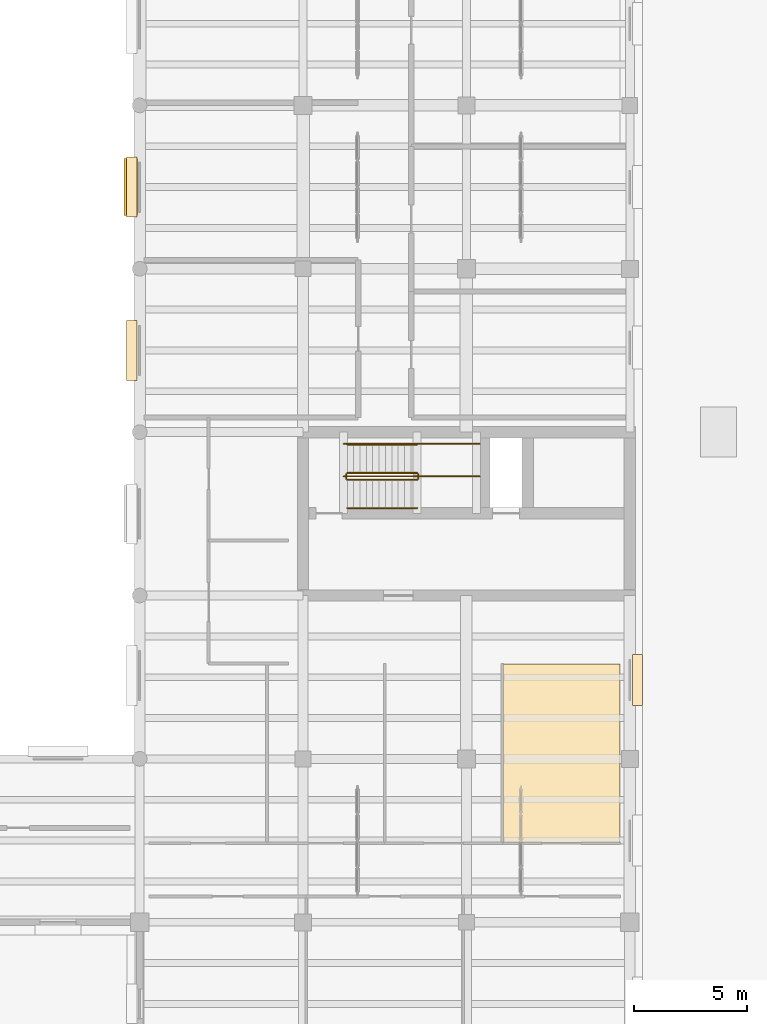
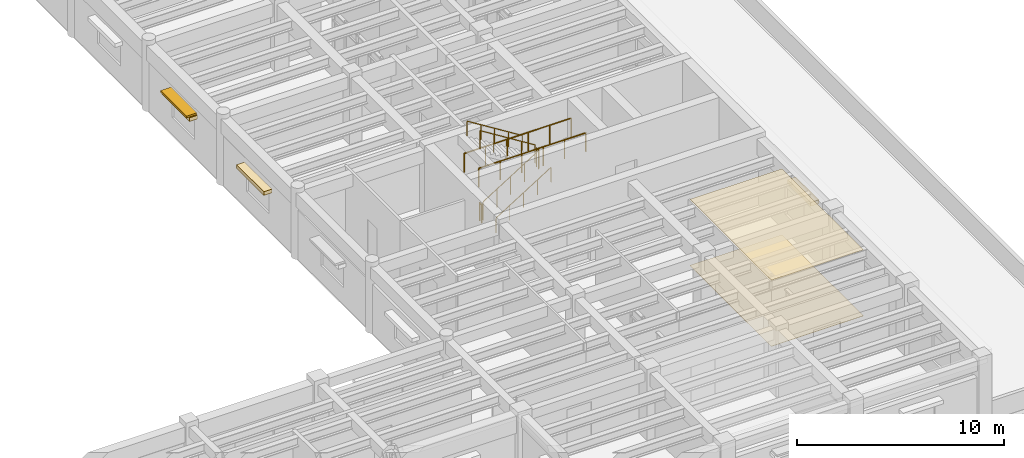
# One storey, part 73 of 76: 8 railings, 5 coverings, 1 shading device.
"""IFC4 building model written with IfcOpenShell, lengths in metres."""

import ifcopenshell
import ifcopenshell.guid

model = None  # the IFC model being written
_history = None  # IfcOwnerHistory: only IFC2X3 demands one
_inside = {}  # id of a spatial element -> (the spatial element, [elements in it])
_under = {}  # id of a project, library or spatial element -> (it, [spatial elements below it])
_declared = {}  # id of a project -> (the project, [libraries it declares])
_typed = {}  # id of a type object -> (the type object, [elements of that type])
_made_of = {}  # id of a material, layer set ... -> (it, [elements and type objects made of it])


def new_model(schema):
    """Start an empty IFC model of exactly this schema.

    Asked for "IFC4X3", IfcOpenShell would pick the latest addendum, in which some entities
    have other attributes; the version numbers below select the first issue.
    IFC2X3 requires an IfcOwnerHistory on every rooted entity: one is made here for all.
    """
    global model, _history
    if schema == "IFC4X3":
        model = ifcopenshell.file(schema_version=(4, 3, 0, 0))
    else:
        model = ifcopenshell.file(schema=schema)
    _inside.clear()
    _under.clear()
    _declared.clear()
    _typed.clear()
    _made_of.clear()
    _history = None
    if model.schema == "IFC2X3":
        org = make("IfcOrganization", Name="unknown")
        user = make(
            "IfcPersonAndOrganization",
            ThePerson=make("IfcPerson", FamilyName="unknown"),
            TheOrganization=org,
        )
        app = make(
            "IfcApplication",
            ApplicationDeveloper=org,
            Version="unknown",
            ApplicationFullName="unknown",
            ApplicationIdentifier="unknown",
        )
        _history = make(
            "IfcOwnerHistory",
            OwningUser=user,
            OwningApplication=app,
            ChangeAction="ADDED",
            CreationDate=0,
        )
    return model


def make(cls, **values):
    """One entity of the class cls with the attributes given. An attribute that is None is left unset."""
    return model.create_entity(
        cls, **{name: value for name, value in values.items() if value is not None}
    )


def rooted(cls, **values):
    """An entity with a GlobalId (a new one), such as an element, a storey or a relation."""
    return make(cls, GlobalId=ifcopenshell.guid.new(), OwnerHistory=_history, **values)


def si_unit(unit_type, name, prefix=None):
    """IfcSIUnit, for example si_unit("LENGTHUNIT", "METRE", prefix="MILLI")."""
    return make("IfcSIUnit", UnitType=unit_type, Prefix=prefix, Name=name)


def assignment(units):
    """IfcUnitAssignment: the units of a project."""
    return None if units is None else make("IfcUnitAssignment", Units=units)


def point(xyz):
    """IfcCartesianPoint."""
    return None if xyz is None else make("IfcCartesianPoint", Coordinates=xyz)


def direction(xyz):
    """IfcDirection."""
    return None if xyz is None else make("IfcDirection", DirectionRatios=xyz)


def frame(location, z_axis=None, x_axis=None):
    """IfcAxis2Placement3D, a coordinate frame: its origin and axes. An axis left out is left unset."""
    return make(
        "IfcAxis2Placement3D",
        Location=point(location),
        Axis=direction(z_axis),
        RefDirection=direction(x_axis),
    )


def frame_2d(location, x_axis=None):
    """IfcAxis2Placement2D, a coordinate frame in the plane: its origin and x axis."""
    return make(
        "IfcAxis2Placement2D", Location=point(location), RefDirection=direction(x_axis)
    )


def origin():
    """The frame at (0, 0, 0) with its axes left unset."""
    return frame((0.0, 0.0, 0.0))


def origin_2d():
    """The frame at (0, 0) in the plane with its x axis left unset."""
    return frame_2d((0.0, 0.0))


def place(relative_to, where):
    """IfcLocalPlacement: puts the frame where relative to a parent placement (None: the world)."""
    return make(
        "IfcLocalPlacement", PlacementRelTo=relative_to, RelativePlacement=where
    )


def context(
    kind, dimensions, precision=None, world=None, true_north=None, identifier=None
):
    """IfcGeometricRepresentationContext, for example the 3D "Model" context."""
    return make(
        "IfcGeometricRepresentationContext",
        ContextIdentifier=identifier,
        ContextType=kind,
        CoordinateSpaceDimension=dimensions,
        Precision=precision,
        WorldCoordinateSystem=world,
        TrueNorth=true_north,
    )


def subcontext(parent, identifier, kind, view, scale=None):
    """IfcGeometricRepresentationSubContext, for example "Body" below "Model"."""
    return make(
        "IfcGeometricRepresentationSubContext",
        ContextIdentifier=identifier,
        ContextType=kind,
        ParentContext=parent,
        TargetScale=scale,
        TargetView=view,
    )


def project(units=None, contexts=None):
    """IfcProject with its units and contexts."""
    return rooted(
        "IfcProject",
        Name="project",
        RepresentationContexts=contexts,
        UnitsInContext=assignment(units),
    )


def spatial(cls, under=None, at=None, **own):
    """A site, building, storey or space (cls), placed at a placement, below another one or the project."""
    s = rooted(cls, ObjectPlacement=at, **own)
    if under is not None:
        _under.setdefault(under.id(), (under, []))[1].append(s)
    return s


def polyline(points):
    """IfcPolyline through the points."""
    return make("IfcPolyline", Points=[point(p) for p in points])


def profile(cls, at=None, kind="AREA", **sizes):
    """A parametric profile (cls). Its sizes go by their IFC names, for example OverallWidth=200.0."""
    return make(cls, ProfileType=kind, Position=at, **sizes)


def rectangle(**sizes):
    """IfcRectangleProfileDef."""
    return profile("IfcRectangleProfileDef", **sizes)


def circle(**sizes):
    """IfcCircleProfileDef."""
    return profile("IfcCircleProfileDef", **sizes)


def outline(outer, holes=None, kind="AREA"):
    """IfcArbitraryClosedProfileDef: a profile drawn as a closed curve; with holes, ...WithVoids."""
    if holes is None:
        return make("IfcArbitraryClosedProfileDef", ProfileType=kind, OuterCurve=outer)
    return make(
        "IfcArbitraryProfileDefWithVoids",
        ProfileType=kind,
        OuterCurve=outer,
        InnerCurves=holes,
    )


def extrude(swept, where, along, depth):
    """IfcExtrudedAreaSolid: the profile swept, set in the frame where, extruded along a direction by depth."""
    return make(
        "IfcExtrudedAreaSolid",
        SweptArea=swept,
        Position=where,
        ExtrudedDirection=direction(along),
        Depth=depth,
    )


def shape(context_of_items, identifier, shape_type, items):
    """IfcShapeRepresentation: the items that make up one representation, for example the "Body"."""
    return make(
        "IfcShapeRepresentation",
        ContextOfItems=context_of_items,
        RepresentationIdentifier=identifier,
        RepresentationType=shape_type,
        Items=items,
    )


def material(Name=None, Category=None):
    """IfcMaterial."""
    return make("IfcMaterial", Name=Name, Category=Category)


def layer(
    of_material, thickness, ventilated=None, Name=None, Category=None, Priority=None
):
    """IfcMaterialLayer: one layer of a wall or slab, of a material (None: an air gap)."""
    return make(
        "IfcMaterialLayer",
        Material=of_material,
        LayerThickness=thickness,
        IsVentilated=ventilated,
        Name=Name,
        Category=Category,
        Priority=Priority,
    )


def layer_set(layers, Name=None):
    """IfcMaterialLayerSet."""
    return make("IfcMaterialLayerSet", MaterialLayers=layers, LayerSetName=Name)


def made_of(thing, what):
    """Note that an element or type object is made of a material, layer set ...; save() writes the relation."""
    if what is not None:
        _made_of.setdefault(what.id(), (what, []))[1].append(thing)
    return thing


def type_object(cls, material=None, **own):
    """A type object (cls), such as IfcWallType, which elements share."""
    return made_of(rooted(cls, **own), material)


def element(
    cls,
    number,
    at=None,
    inside=None,
    cuts=None,
    type_object=None,
    material=None,
    context=None,
    identifier="Body",
    shape_type=None,
    held_by="IfcProductDefinitionShape",
    body=None,
    shapes=None,
    **own,
):
    """One element of the class cls, such as IfcWall. Its Tag is "e" and its number.

    at: its placement. inside: the storey or other place that contains it. cuts: it is an
    opening in that element (IfcRelVoidsElement). A single representation is given by context,
    identifier, shape_type and body (its items); several are given by shapes. held_by: the class
    of the entity that holds the representations. save() writes the other relations.
    """
    e = rooted(cls, Tag="e%d" % number, ObjectPlacement=at, **own)
    if body is not None:
        shapes = [shape(context, identifier, shape_type, body)]
    if shapes is not None:
        e.Representation = make(held_by, Representations=shapes)
    if inside is not None:
        _inside.setdefault(inside.id(), (inside, []))[1].append(e)
    if cuts is not None:
        rooted(
            "IfcRelVoidsElement", RelatingBuildingElement=cuts, RelatedOpeningElement=e
        )
    if type_object is not None:
        _typed.setdefault(type_object.id(), (type_object, []))[1].append(e)
    return made_of(e, material)


def aggregate(whole, parts):
    """IfcRelAggregates: a whole, such as a stair, and the parts it consists of."""
    return rooted("IfcRelAggregates", RelatingObject=whole, RelatedObjects=parts)


def save(model, path):
    """Write the relations noted so far, then the file.

    IfcRelAggregates (storeys below a building ...), IfcRelContainedInSpatialStructure (elements
    in a storey), IfcRelDefinesByType, IfcRelAssociatesMaterial and IfcRelDeclares: one each for
    every whole, place, type object, material and project.
    """
    for whole, parts in _under.values():
        aggregate(whole, parts)
    for where, things in _inside.values():
        rooted(
            "IfcRelContainedInSpatialStructure",
            RelatedElements=things,
            RelatingStructure=where,
        )
    for kind, things in _typed.values():
        rooted("IfcRelDefinesByType", RelatedObjects=things, RelatingType=kind)
    for what, things in _made_of.values():
        rooted("IfcRelAssociatesMaterial", RelatedObjects=things, RelatingMaterial=what)
    for by, libraries in _declared.values():
        rooted("IfcRelDeclares", RelatingContext=by, RelatedDefinitions=libraries)
    model.write(path)


model = new_model("IFC4")

# Units and contexts
model_context = context("Model", 3, precision=1e-05, world=origin(), true_north=direction((0.0, 1.0)))
body_context = subcontext(model_context, "Body", "Model", "MODEL_VIEW")
ifc_project = project(units=[si_unit("LENGTHUNIT", "METRE"), si_unit("AREAUNIT", "SQUARE_METRE"), si_unit("VOLUMEUNIT", "CUBIC_METRE"), si_unit("PLANEANGLEUNIT", "RADIAN"), si_unit("MASSUNIT", "GRAM", prefix="KILO")], contexts=[model_context])

# Site, building, storey
site_placement = place(None, origin())
site = spatial("IfcSite", under=ifc_project, at=site_placement, CompositionType="ELEMENT")
building_placement = place(site_placement, origin())
building = spatial("IfcBuilding", under=site, at=building_placement, Name="Mithqara Police Headquarters", CompositionType="ELEMENT")
storey_placement = place(building_placement, frame((0.0, 0.0, 5.39990234375)))
storey = spatial("IfcBuildingStorey", under=building, at=storey_placement, Name="L01", CompositionType="ELEMENT", Elevation=5.39990234375)

# Covering
ifc_material_1 = material(Name="Acoustic mineral-fibre ceiling tile", Category="gypsum")
ifc_layer_1 = layer(ifc_material_1, 0.02490234375, Name="Acoustic mineral-fibre ceiling tile")
ifc_layer_set_1 = layer_set([ifc_layer_1], Name="Acoustic mineral-fibre ceiling tile")
covering_type_1 = type_object("IfcCoveringType", Name="ACOUSTIC CEILING TILE", PredefinedType="CEILING", material=ifc_layer_set_1)
covering_1_placement = place(storey_placement, frame((0.0, 0.0, 3.89501953125)))
element("IfcCovering", 1, at=covering_1_placement, inside=storey, type_object=covering_type_1, Name="Questioned Documents Laboratory Acoustic Ceiling", PredefinedType="CEILING", context=body_context, shape_type="SweptSolid", body=[
    extrude(outline(polyline([(160.610107421875, 31.699951171875), (165.760009765625, 31.699951171875), (165.760009765625, 39.580078125), (160.610107421875, 39.580078125), (160.610107421875, 31.699951171875)])), origin(), (0.0, 0.0, 1.0), 0.025146484375),
])

# Railings
ifc_material_2 = material(Name="Steel S355JR", Category="steel")
railing_type_1 = type_object("IfcRailingType", Name="HANDRAIL 920", PredefinedType="HANDRAIL", material=ifc_material_2)
railing_1_placement = place(storey_placement, frame((153.75, 46.449951171875, 0.175048828125)))
element("IfcRailing", 2, at=railing_1_placement, inside=storey, type_object=railing_type_1, Name="L01 ST-04 stair handrail 1", PredefinedType="HANDRAIL", context=body_context, shape_type="SweptSolid", body=[
    extrude(circle(Radius=0.02392578125, at=origin_2d()), frame((0.0, 0.0, 0.8759765625), z_axis=(0.847998304005, 0.0, 0.529998940003), x_axis=(0.0, 1.0, 0.0)), (0.0, 0.0, 1.0), 3.632080078125),
    extrude(circle(Radius=0.02099609375, at=origin_2d()), origin(), (0.0, 0.0, 1.0), 0.851806640625),
    extrude(circle(Radius=0.02099609375, at=origin_2d()), frame((0.77001953125, 0.0, 0.481201171875)), (0.0, 0.0, 1.0), 0.851806640625),
    extrude(circle(Radius=0.02099609375, at=origin_2d()), frame((1.5400390625, 0.0, 0.96240234375)), (0.0, 0.0, 1.0), 0.851806640625),
    extrude(circle(Radius=0.02099609375, at=origin_2d()), frame((2.31005859375, 0.0, 1.44384765625)), (0.0, 0.0, 1.0), 0.851806640625),
    extrude(circle(Radius=0.02099609375, at=origin_2d()), frame((3.080078125, 0.0, 1.925048828125)), (0.0, 0.0, 1.0), 0.851806640625),
])
railing_2_placement = place(storey_placement, frame((156.830078125, 49.25, 2.275146484375)))
element("IfcRailing", 3, at=railing_2_placement, inside=storey, type_object=railing_type_1, Name="L01 ST-04 stair handrail 2", PredefinedType="HANDRAIL", context=body_context, shape_type="SweptSolid", body=[
    extrude(circle(Radius=0.02392578125, at=origin_2d()), frame((0.0, 0.0, 0.8759765625), z_axis=(-0.847998304005, 0.0, 0.529998940003), x_axis=(0.0, -1.0, 0.0)), (0.0, 0.0, 1.0), 3.632080078125),
    extrude(circle(Radius=0.02099609375, at=origin_2d()), origin(), (0.0, 0.0, 1.0), 0.851806640625),
    extrude(circle(Radius=0.02099609375, at=origin_2d()), frame((-0.77001953125, 0.0, 0.481201171875)), (0.0, 0.0, 1.0), 0.851806640625),
    extrude(circle(Radius=0.02099609375, at=origin_2d()), frame((-1.5400390625, 0.0, 0.96240234375)), (0.0, 0.0, 1.0), 0.851806640625),
    extrude(circle(Radius=0.02099609375, at=origin_2d()), frame((-2.31005859375, 0.0, 1.44384765625)), (0.0, 0.0, 1.0), 0.851806640625),
    extrude(circle(Radius=0.02099609375, at=origin_2d()), frame((-3.080078125, 0.0, 1.925048828125)), (0.0, 0.0, 1.0), 0.851806640625),
])

# Shading device
ifc_material_3 = material(Name="Bronze anodised aluminium 6063-T6", Category="aluminium")
shading_device_type = type_object("IfcShadingDeviceType", Name="SOLAR LOUVRE BRONZE", PredefinedType="JALOUSIE", material=ifc_material_3)
shading_device_placement = place(storey_placement, frame((144.199951171875, 60.60009765625, 2.590087890625), z_axis=(0.0, 0.0, 1.0), x_axis=(0.0, 1.0, 0.0)))
element("IfcShadingDevice", 4, at=shading_device_placement, inside=storey, type_object=shading_device_type, Name="L01 Window Solar Louvre Hood 4.4", PredefinedType="JALOUSIE", context=body_context, shape_type="SweptSolid", body=[
    extrude(rectangle(XDim=2.5, YDim=0.60009765625, at=origin_2d()), origin(), (0.0, 0.0, 1.0), 0.10009765625),
])

# Railings
railing_type_2 = type_object("IfcRailingType", Name="STAIR GUARD 1120", PredefinedType="GUARDRAIL", material=ifc_material_2)
railing_3_placement = place(storey_placement, frame((153.75, 47.699951171875, 0.175048828125)))
element("IfcRailing", 5, at=railing_3_placement, inside=storey, type_object=railing_type_2, Name="L01 ST-04 stair guard 1", PredefinedType="GUARDRAIL", context=body_context, shape_type="SweptSolid", body=[
    extrude(circle(Radius=0.02392578125, at=origin_2d()), frame((0.0, 0.0, 1.076171875), z_axis=(0.847998304005, 0.0, 0.529998940003), x_axis=(0.0, 1.0, 0.0)), (0.0, 0.0, 1.0), 3.632080078125),
    extrude(circle(Radius=0.02099609375, at=origin_2d()), origin(), (0.0, 0.0, 1.0), 1.052001953125),
    extrude(circle(Radius=0.02099609375, at=origin_2d()), frame((0.77001953125, 0.0, 0.481201171875)), (0.0, 0.0, 1.0), 1.052001953125),
    extrude(circle(Radius=0.02099609375, at=origin_2d()), frame((1.5400390625, 0.0, 0.96240234375)), (0.0, 0.0, 1.0), 1.052001953125),
    extrude(circle(Radius=0.02099609375, at=origin_2d()), frame((2.31005859375, 0.0, 1.44384765625)), (0.0, 0.0, 1.0), 1.052001953125),
    extrude(circle(Radius=0.02099609375, at=origin_2d()), frame((3.080078125, 0.0, 1.925048828125)), (0.0, 0.0, 1.0), 1.052001953125),
])
railing_4_placement = place(storey_placement, frame((156.8798828125, 47.75, 2.10009765625)))
element("IfcRailing", 6, at=railing_4_placement, inside=storey, type_object=railing_type_2, Name="L01 ST-04 stair guard 2", PredefinedType="GUARDRAIL", context=body_context, shape_type="SweptSolid", body=[
    extrude(circle(Radius=0.02392578125, at=origin_2d()), frame((0.0, 0.0, 1.076171875), z_axis=(0.0, 1.0, 0.0), x_axis=(-1.0, 0.0, 0.0)), (0.0, 0.0, 1.0), 0.199951171875),
    extrude(circle(Radius=0.02099609375, at=origin_2d()), origin(), (0.0, 0.0, 1.0), 1.052001953125),
    extrude(circle(Radius=0.02099609375, at=origin_2d()), frame((0.0, 0.199951171875, 0.0)), (0.0, 0.0, 1.0), 1.052001953125),
])
railing_5_placement = place(storey_placement, frame((156.830078125, 48.0, 2.275146484375)))
element("IfcRailing", 7, at=railing_5_placement, inside=storey, type_object=railing_type_2, Name="L01 ST-04 stair guard 3", PredefinedType="GUARDRAIL", context=body_context, shape_type="SweptSolid", body=[
    extrude(circle(Radius=0.02392578125, at=origin_2d()), frame((0.0, 0.0, 1.076171875), z_axis=(-0.847998304005, 0.0, 0.529998940003), x_axis=(0.0, -1.0, 0.0)), (0.0, 0.0, 1.0), 3.632080078125),
    extrude(circle(Radius=0.02099609375, at=origin_2d()), origin(), (0.0, 0.0, 1.0), 1.052001953125),
    extrude(circle(Radius=0.02099609375, at=origin_2d()), frame((-0.77001953125, 0.0, 0.481201171875)), (0.0, 0.0, 1.0), 1.052001953125),
    extrude(circle(Radius=0.02099609375, at=origin_2d()), frame((-1.5400390625, 0.0, 0.96240234375)), (0.0, 0.0, 1.0), 1.052001953125),
    extrude(circle(Radius=0.02099609375, at=origin_2d()), frame((-2.31005859375, 0.0, 1.44384765625)), (0.0, 0.0, 1.0), 1.052001953125),
    extrude(circle(Radius=0.02099609375, at=origin_2d()), frame((-3.080078125, 0.0, 1.925048828125)), (0.0, 0.0, 1.0), 1.052001953125),
])
railing_6_placement = place(storey_placement, frame((153.699951171875, 47.75, 0.0)))
element("IfcRailing", 8, at=railing_6_placement, inside=storey, type_object=railing_type_2, Name="L01 ST-04 stair guard 4", PredefinedType="GUARDRAIL", context=body_context, shape_type="SweptSolid", body=[
    extrude(circle(Radius=0.02392578125, at=origin_2d()), frame((0.0, 0.0, 1.076171875), z_axis=(0.0, 1.0, 0.0), x_axis=(-1.0, 0.0, 0.0)), (0.0, 0.0, 1.0), 0.199951171875),
    extrude(circle(Radius=0.02099609375, at=origin_2d()), origin(), (0.0, 0.0, 1.0), 1.052001953125),
    extrude(circle(Radius=0.02099609375, at=origin_2d()), frame((0.0, 0.199951171875, 0.0)), (0.0, 0.0, 1.0), 1.052001953125),
])
for number, where, name in (
    (9, (153.60009765625, 47.85009765625, 2.10009765625), "L01 ST-04 Half-Landing Guard IN"),
    (10, (153.60009765625, 49.280029296875, 2.10009765625), "L01 ST-04 Half-Landing Guard OUT"),
):
    element("IfcRailing", number, at=place(storey_placement, frame(where)), inside=storey, type_object=railing_type_2, Name=name, PredefinedType="GUARDRAIL", context=body_context, shape_type="SweptSolid", body=[
        extrude(circle(Radius=0.02392578125, at=origin_2d()), frame((0.0, 0.0, 1.09619140625), z_axis=(1.0, 0.0, 0.0), x_axis=(0.0, 1.0, 0.0)), (0.0, 0.0, 1.0), 5.97998046875),
        extrude(circle(Radius=0.02099609375, at=origin_2d()), origin(), (0.0, 0.0, 1.0), 1.072021484375),
        extrude(circle(Radius=0.02099609375, at=origin_2d()), frame((1.196044921875, 0.0, 0.0)), (0.0, 0.0, 1.0), 1.072021484375),
        extrude(circle(Radius=0.02099609375, at=origin_2d()), frame((2.39208984375, 0.0, 0.0)), (0.0, 0.0, 1.0), 1.072021484375),
        extrude(circle(Radius=0.02099609375, at=origin_2d()), frame((3.587890625, 0.0, 0.0)), (0.0, 0.0, 1.0), 1.072021484375),
        extrude(circle(Radius=0.02099609375, at=origin_2d()), frame((4.783935546875, 0.0, 0.0)), (0.0, 0.0, 1.0), 1.072021484375),
        extrude(circle(Radius=0.02099609375, at=origin_2d()), frame((5.97998046875, 0.0, 0.0)), (0.0, 0.0, 1.0), 1.072021484375),
    ])

# Coverings
ifc_material_4 = material(Name="Polished limestone terrazzo flooring", Category="masonry")
ifc_layer_2 = layer(ifc_material_4, 0.02001953125, Name="Polished limestone terrazzo flooring")
ifc_layer_set_2 = layer_set([ifc_layer_2], Name="Polished limestone terrazzo flooring")
covering_type_2 = type_object("IfcCoveringType", Name="TERRAZZO FLOOR FINISH", PredefinedType="FLOORING", material=ifc_layer_set_2)
covering_2_placement = place(storey_placement, origin())
element("IfcCovering", 11, at=covering_2_placement, inside=storey, type_object=covering_type_2, Name="Questioned Documents Laboratory Terrazzo Floor Finish", PredefinedType="FLOORING", context=body_context, shape_type="SweptSolid", body=[
    extrude(outline(polyline([(160.610107421875, 31.699951171875), (165.760009765625, 31.699951171875), (165.760009765625, 39.580078125), (160.610107421875, 39.580078125), (160.610107421875, 31.699951171875)])), origin(), (0.0, 0.0, 1.0), 0.02001953125),
])
ifc_material_5 = material(Name="Limestone ashlar masonry, 45 MPa", Category="masonry")
ifc_layer_3 = layer(ifc_material_5, 0.239990234375, Name="Limestone ashlar masonry, 45 MPa")
ifc_layer_set_3 = layer_set([ifc_layer_3], Name="Limestone ashlar masonry, 45 MPa")
covering_type_3 = type_object("IfcCoveringType", Name="WINDOW HOOD LIMESTONE", PredefinedType="CLADDING", material=ifc_layer_set_3)
covering_3_placement = place(storey_placement, frame((166.5400390625, 38.875, 2.6201171875), z_axis=(0.0, 0.0, 1.0), x_axis=(0.0, 1.0, 0.0)))
element("IfcCovering", 12, at=covering_3_placement, inside=storey, type_object=covering_type_3, Name="L01 Limestone Window Architrave Hood 7.3", PredefinedType="CLADDING", context=body_context, shape_type="SweptSolid", body=[
    extrude(rectangle(XDim=2.239990234375, YDim=0.4599609375, at=origin_2d()), origin(), (0.0, 0.0, 1.0), 0.219970703125),
])
for number, where, z_axis, x_axis, name in (
    (13, (144.260009765625, 53.39990234375, 2.3701171875), (0.0, 0.0, 1.0), (0.0, 1.0, 0.0), "L01 Limestone Window Architrave Hood 4.3"),
    (14, (144.260009765625, 60.60009765625, 2.3701171875), (0.0, 0.0, 1.0), (0.0, 1.0, 0.0), "L01 Limestone Window Architrave Hood 4.4"),
):
    element("IfcCovering", number, at=place(storey_placement, frame(where, z_axis=z_axis, x_axis=x_axis)), inside=storey, type_object=covering_type_3, Name=name, PredefinedType="CLADDING", context=body_context, shape_type="SweptSolid", body=[
        extrude(rectangle(XDim=2.639892578125, YDim=0.4599609375, at=origin_2d()), origin(), (0.0, 0.0, 1.0), 0.219970703125),
    ])

save(model, "model.ifc")
